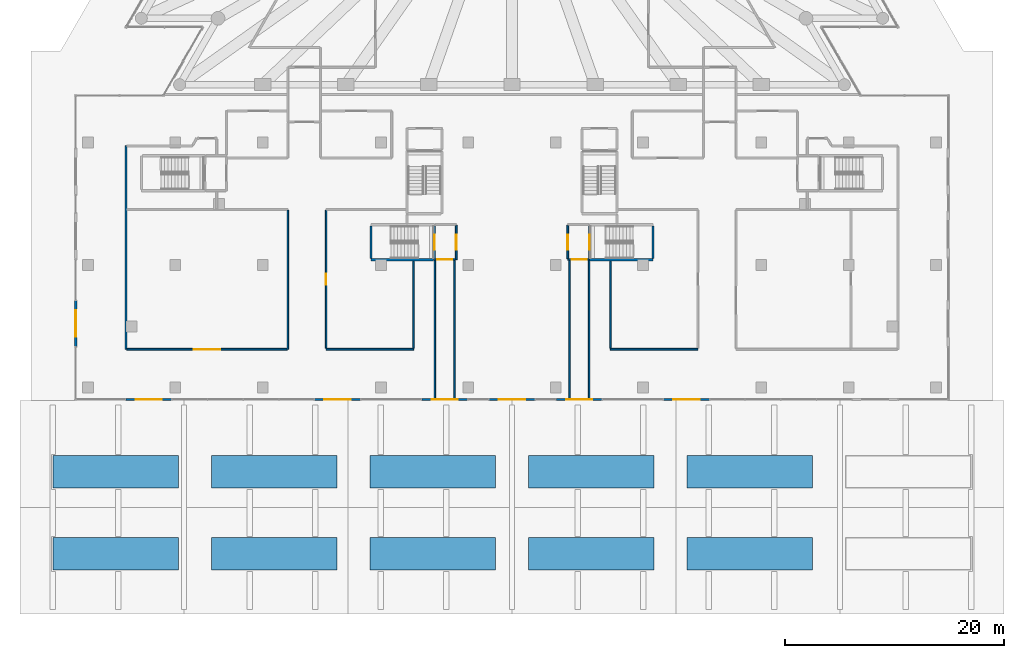
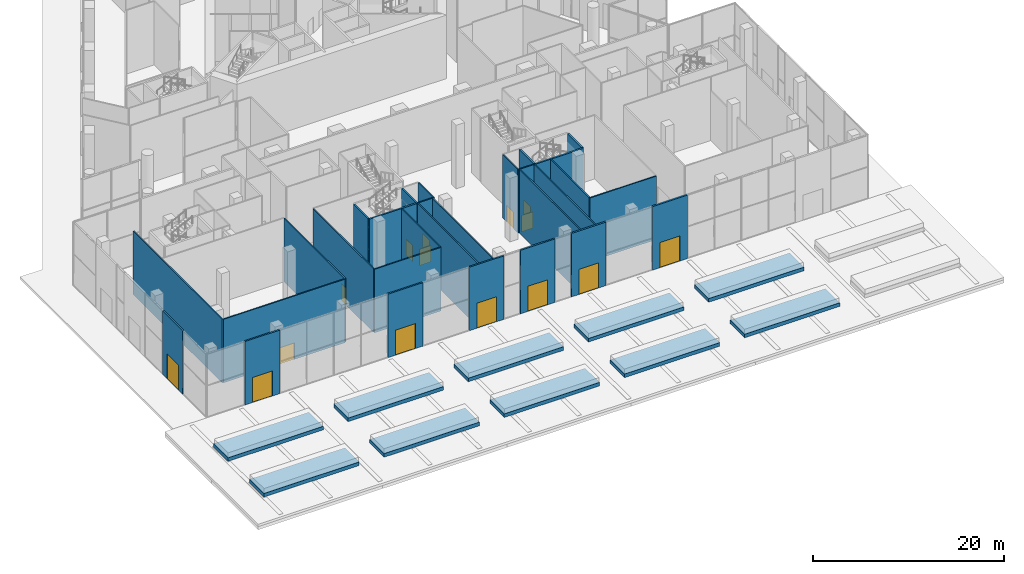
# One storey, part 20 of 41: 39 walls, 15 doors, 15 openings.
"""IFC4 building model written with IfcOpenShell, lengths in metres."""

from ifc_helpers import new_model, si_unit, direction, frame, frame_2d, origin, place, context, subcontext, project, spatial, rectangle, extrude, material, layer, layer_set, layer_usage, type_object, element, fill, save


model = new_model("IFC4")

# Units and contexts
model_context = context("Model", 3, precision=1e-05, world=origin(), true_north=direction((0.0, 1.0)))
body_context = subcontext(model_context, "Body", "Model", "MODEL_VIEW")
ifc_project = project(units=[si_unit("LENGTHUNIT", "METRE"), si_unit("AREAUNIT", "SQUARE_METRE"), si_unit("VOLUMEUNIT", "CUBIC_METRE"), si_unit("PLANEANGLEUNIT", "RADIAN"), si_unit("MASSUNIT", "GRAM", prefix="KILO")], contexts=[model_context])

# Site, building, storey
site_placement = place(None, origin())
site = spatial("IfcSite", under=ifc_project, at=site_placement, CompositionType="ELEMENT")
building_placement = place(site_placement, origin())
building = spatial("IfcBuilding", under=site, at=building_placement, Name="Triada Interchange Tower", CompositionType="ELEMENT")
storey_placement = place(building_placement, origin())
storey = spatial("IfcBuildingStorey", under=building, at=storey_placement, Name="L00", CompositionType="ELEMENT", Elevation=0.0)

# Wall, opening, door
ifc_material_1 = material(Name="Concrete C30/37", Category="concrete")
ifc_layer_1 = layer(ifc_material_1, 0.199951171875)
ifc_layer_set_1 = layer_set([ifc_layer_1], Name="CORE WALL 200 REI 240")
wall_type_1 = type_object("IfcWallType", Name="CORE WALL 200 REI 240", PredefinedType="SOLIDWALL", material=ifc_layer_set_1)
wall_1_placement = place(storey_placement, frame((-7.10009765625, -37.60009765625, 0.0), z_axis=(0.0, 0.0, 1.0), x_axis=(0.0, 1.0, 0.0)))
wall_1 = element("IfcWall", 1, at=wall_1_placement, inside=storey, type_object=wall_type_1, Name="Wall L00 207", PredefinedType="SOLIDWALL", context=body_context, shape_type="SweptSolid", body=[
    extrude(rectangle(XDim=3.10009765625, YDim=0.199951171875, at=frame_2d((1.550048828125, 0.0))), origin(), (0.0, 0.0, 1.0), 8.10009765625),
])
opening_1_placement = place(wall_1_placement, frame((0.89990234375, 0.0, 0.0)))
opening_1 = element("IfcOpeningElement", 2, at=opening_1_placement, cuts=wall_1, Name="Opening D00-17", PredefinedType="OPENING", context=body_context, shape_type="SweptSolid", body=[
    extrude(rectangle(XDim=1.39990234375, YDim=2.10009765625, at=frame_2d((0.699951171875, 1.050048828125))), frame((0.0, 0.10986328125, 0.0), z_axis=(0.0, -1.0, 0.0), x_axis=(1.0, 0.0, 0.0)), (0.0, 0.0, 1.0), 0.219970703125),
])
ifc_material_2 = material(Name="Steel S235 door leaf", Category="steel")
door_type_1 = type_object("IfcDoorType", Name="STAIR DOOR 1400 EI2 90-C5S200", OperationType="DOUBLE_DOOR_SINGLE_SWING", PredefinedType="DOOR", material=ifc_material_2)
door_1_placement = place(opening_1_placement, origin())
door_1 = element("IfcDoor", 3, at=door_1_placement, inside=storey, type_object=door_type_1, Name="Door D00-17 L00", OperationType="DOUBLE_DOOR_SINGLE_SWING", OverallHeight=2.10009765625, OverallWidth=1.39990234375, PredefinedType="DOOR", context=body_context, shape_type="SweptSolid", body=[
    extrude(rectangle(XDim=1.39990234375, YDim=2.10009765625, at=frame_2d((0.699951171875, 1.050048828125))), frame((0.0, 0.02490234375, 0.0), z_axis=(0.0, -1.0, 0.0), x_axis=(1.0, 0.0, 0.0)), (0.0, 0.0, 1.0), 0.050048828125),
])
fill(opening_1, door_1)

# Walls
wall_2_placement = place(storey_placement, frame((-12.89990234375, -37.60009765625, 0.0), z_axis=(0.0, 0.0, 1.0), x_axis=(1.0, 0.0, 0.0)))
element("IfcWall", 4, at=wall_2_placement, inside=storey, type_object=wall_type_1, Name="Wall L00 208", PredefinedType="SOLIDWALL", context=body_context, shape_type="SweptSolid", body=[
    extrude(rectangle(XDim=5.699951171875, YDim=0.199951171875, at=frame_2d((2.85009765625, 0.0))), origin(), (0.0, 0.0, 1.0), 8.10009765625),
])
wall_3_placement = place(storey_placement, frame((7.10009765625, -37.60009765625, 0.0), z_axis=(0.0, 0.0, 1.0), x_axis=(1.0, 0.0, 0.0)))
element("IfcWall", 5, at=wall_3_placement, inside=storey, type_object=wall_type_1, Name="Wall L00 209", PredefinedType="SOLIDWALL", context=body_context, shape_type="SweptSolid", body=[
    extrude(rectangle(XDim=5.7998046875, YDim=0.199951171875, at=frame_2d((2.89990234375, 0.0))), origin(), (0.0, 0.0, 1.0), 8.10009765625),
])
wall_4_placement = place(storey_placement, frame((-12.89990234375, -37.5, 0.0), z_axis=(0.0, 0.0, 1.0), x_axis=(0.0, 1.0, 0.0)))
element("IfcWall", 6, at=wall_4_placement, inside=storey, type_object=wall_type_1, Name="Wall L00 210", PredefinedType="SOLIDWALL", context=body_context, shape_type="SweptSolid", body=[
    extrude(rectangle(XDim=3.0, YDim=0.199951171875, at=frame_2d((1.5, 0.0))), origin(), (0.0, 0.0, 1.0), 8.10009765625),
])

# Wall, opening, door
wall_5_placement = place(storey_placement, frame((7.10009765625, -37.5, 0.0), z_axis=(0.0, 0.0, 1.0), x_axis=(0.0, 1.0, 0.0)))
wall_5 = element("IfcWall", 7, at=wall_5_placement, inside=storey, type_object=wall_type_1, Name="Wall L00 219", PredefinedType="SOLIDWALL", context=body_context, shape_type="SweptSolid", body=[
    extrude(rectangle(XDim=3.0, YDim=0.199951171875, at=frame_2d((1.5, 0.0))), origin(), (0.0, 0.0, 1.0), 8.10009765625),
])
opening_2_placement = place(wall_5_placement, frame((0.800048828125, 0.0, 0.0)))
opening_2 = element("IfcOpeningElement", 8, at=opening_2_placement, cuts=wall_5, Name="Opening D00-19", PredefinedType="OPENING", context=body_context, shape_type="SweptSolid", body=[
    extrude(rectangle(XDim=1.39990234375, YDim=2.10009765625, at=frame_2d((0.699951171875, 1.050048828125))), frame((0.0, 0.10986328125, 0.0), z_axis=(0.0, -1.0, 0.0), x_axis=(1.0, 0.0, 0.0)), (0.0, 0.0, 1.0), 0.219970703125),
])
door_2_placement = place(opening_2_placement, origin())
door_2 = element("IfcDoor", 9, at=door_2_placement, inside=storey, type_object=door_type_1, Name="Door D00-19 L00", OperationType="DOUBLE_DOOR_SINGLE_SWING", OverallHeight=2.10009765625, OverallWidth=1.39990234375, PredefinedType="DOOR", context=body_context, shape_type="SweptSolid", body=[
    extrude(rectangle(XDim=1.39990234375, YDim=2.10009765625, at=frame_2d((0.699951171875, 1.050048828125))), frame((0.0, 0.02490234375, 0.0), z_axis=(0.0, -1.0, 0.0), x_axis=(1.0, 0.0, 0.0)), (0.0, 0.0, 1.0), 0.050048828125),
])
fill(opening_2, door_2)

# Wall
wall_6_placement = place(storey_placement, frame((12.89990234375, -37.5, 0.0), z_axis=(0.0, 0.0, 1.0), x_axis=(0.0, 1.0, 0.0)))
element("IfcWall", 10, at=wall_6_placement, inside=storey, type_object=wall_type_1, Name="Wall L00 220", PredefinedType="SOLIDWALL", context=body_context, shape_type="SweptSolid", body=[
    extrude(rectangle(XDim=3.0, YDim=0.199951171875, at=frame_2d((1.5, 0.0))), origin(), (0.0, 0.0, 1.0), 8.10009765625),
])

# Wall, opening, door
ifc_material_3 = material(Name="Cement board")
ifc_layer_2 = layer(ifc_material_3, 0.02001953125, Name="Cement board cladding")
ifc_material_4 = material(Name="Sheathing board")
ifc_layer_3 = layer(ifc_material_4, 0.014892578125, Name="Sheathing board")
ifc_material_5 = material(Name="Mineral wool")
ifc_layer_4 = layer(ifc_material_5, 0.14990234375, Name="Mineral wool between steel studs")
ifc_material_6 = material(Name="Gypsum board")
ifc_layer_5 = layer(ifc_material_6, 0.014892578125, Name="Plasterboard lining")
ifc_layer_set_2 = layer_set([ifc_layer_2, ifc_layer_3, ifc_layer_4, ifc_layer_5], Name="External wall 200")
ifc_layer_usage = layer_usage(ifc_layer_set_2, "AXIS2", "POSITIVE", -0.10009765625)
wall_type_2 = type_object("IfcWallType", Name="External wall 200", PredefinedType="ELEMENTEDWALL", material=ifc_layer_set_2)
wall_7_placement = place(storey_placement, frame((-35.320068359375, -50.39990234375, 0.0), z_axis=(0.0, 0.0, 1.0), x_axis=(1.0, 0.0, 0.0)))
wall_7 = element("IfcWall", 11, at=wall_7_placement, inside=storey, type_object=wall_type_2, material=ifc_layer_usage, Name="External wall L00 00.1", PredefinedType="ELEMENTEDWALL", context=body_context, shape_type="SweptSolid", body=[
    extrude(rectangle(XDim=4.199951171875, YDim=0.199951171875, at=frame_2d((2.10009765625, 0.0))), origin(), (0.0, 0.0, 1.0), 8.10009765625),
])
opening_3_placement = place(wall_7_placement, frame((0.89990234375, 0.0, 0.0)))
opening_3 = element("IfcOpeningElement", 12, at=opening_3_placement, cuts=wall_7, Name="Opening DX03", PredefinedType="OPENING", context=body_context, shape_type="SweptSolid", body=[
    extrude(rectangle(XDim=2.39990234375, YDim=3.199951171875, at=frame_2d((1.199951171875, 1.60009765625))), frame((0.0, 0.10986328125, 0.0), z_axis=(0.0, -1.0, 0.0), x_axis=(1.0, 0.0, 0.0)), (0.0, 0.0, 1.0), 0.219970703125),
])
ifc_material_7 = material(Name="Aluminium and glass", Category="aluminium")
door_type_2 = type_object("IfcDoorType", Name="Entrance door double", OperationType="DOUBLE_DOOR_SINGLE_SWING", PredefinedType="DOOR", material=ifc_material_7)
door_3_placement = place(opening_3_placement, frame((2.39990234375, 0.0, 0.0), z_axis=(0.0, 0.0, 1.0), x_axis=(-1.0, 0.0, 0.0)))
door_3 = element("IfcDoor", 13, at=door_3_placement, inside=storey, type_object=door_type_2, Name="Door DX03 L00", OperationType="DOUBLE_DOOR_SINGLE_SWING", OverallHeight=3.199951171875, OverallWidth=2.39990234375, PredefinedType="DOOR", context=body_context, shape_type="SweptSolid", body=[
    extrude(rectangle(XDim=2.39990234375, YDim=3.199951171875, at=frame_2d((1.199951171875, 1.60009765625))), frame((0.0, 0.02490234375, 0.0), z_axis=(0.0, -1.0, 0.0), x_axis=(1.0, 0.0, 0.0)), (0.0, 0.0, 1.0), 0.050048828125),
])
fill(opening_3, door_3)

wall_8_placement = place(storey_placement, frame((-18.06005859375, -50.39990234375, 0.0), z_axis=(0.0, 0.0, 1.0), x_axis=(1.0, 0.0, 0.0)))
wall_8 = element("IfcWall", 14, at=wall_8_placement, inside=storey, type_object=wall_type_2, material=ifc_layer_usage, Name="External wall L00 00.3", PredefinedType="ELEMENTEDWALL", context=body_context, shape_type="SweptSolid", body=[
    extrude(rectangle(XDim=4.199951171875, YDim=0.199951171875, at=frame_2d((2.10009765625, 0.0))), origin(), (0.0, 0.0, 1.0), 8.10009765625),
])
opening_4_placement = place(wall_8_placement, frame((0.89990234375, 0.0, 0.0)))
opening_4 = element("IfcOpeningElement", 15, at=opening_4_placement, cuts=wall_8, Name="Opening DX04", PredefinedType="OPENING", context=body_context, shape_type="SweptSolid", body=[
    extrude(rectangle(XDim=2.39990234375, YDim=3.199951171875, at=frame_2d((1.199951171875, 1.60009765625))), frame((0.0, 0.10986328125, 0.0), z_axis=(0.0, -1.0, 0.0), x_axis=(1.0, 0.0, 0.0)), (0.0, 0.0, 1.0), 0.219970703125),
])
door_4_placement = place(opening_4_placement, frame((2.39990234375, 0.0, 0.0), z_axis=(0.0, 0.0, 1.0), x_axis=(-1.0, 0.0, 0.0)))
door_4 = element("IfcDoor", 16, at=door_4_placement, inside=storey, type_object=door_type_2, Name="Door DX04 L00", OperationType="DOUBLE_DOOR_SINGLE_SWING", OverallHeight=3.199951171875, OverallWidth=2.39990234375, PredefinedType="DOOR", context=body_context, shape_type="SweptSolid", body=[
    extrude(rectangle(XDim=2.39990234375, YDim=3.199951171875, at=frame_2d((1.199951171875, 1.60009765625))), frame((0.0, 0.02490234375, 0.0), z_axis=(0.0, -1.0, 0.0), x_axis=(1.0, 0.0, 0.0)), (0.0, 0.0, 1.0), 0.050048828125),
])
fill(opening_4, door_4)

wall_9_placement = place(storey_placement, frame((-8.25, -50.39990234375, 0.0), z_axis=(0.0, 0.0, 1.0), x_axis=(1.0, 0.0, 0.0)))
wall_9 = element("IfcWall", 17, at=wall_9_placement, inside=storey, type_object=wall_type_2, material=ifc_layer_usage, Name="External wall L00 00.5", PredefinedType="ELEMENTEDWALL", context=body_context, shape_type="SweptSolid", body=[
    extrude(rectangle(XDim=4.199951171875, YDim=0.199951171875, at=frame_2d((2.10009765625, 0.0))), origin(), (0.0, 0.0, 1.0), 8.10009765625),
])
opening_5_placement = place(wall_9_placement, frame((0.89990234375, 0.0, 0.0)))
opening_5 = element("IfcOpeningElement", 18, at=opening_5_placement, cuts=wall_9, Name="Opening DX20", PredefinedType="OPENING", context=body_context, shape_type="SweptSolid", body=[
    extrude(rectangle(XDim=2.39990234375, YDim=3.199951171875, at=frame_2d((1.199951171875, 1.60009765625))), frame((0.0, 0.10986328125, 0.0), z_axis=(0.0, -1.0, 0.0), x_axis=(1.0, 0.0, 0.0)), (0.0, 0.0, 1.0), 0.219970703125),
])
door_5_placement = place(opening_5_placement, frame((2.39990234375, 0.0, 0.0), z_axis=(0.0, 0.0, 1.0), x_axis=(-1.0, 0.0, 0.0)))
door_5 = element("IfcDoor", 19, at=door_5_placement, inside=storey, type_object=door_type_2, Name="Door DX20 L00", OperationType="DOUBLE_DOOR_SINGLE_SWING", OverallHeight=3.199951171875, OverallWidth=2.39990234375, PredefinedType="DOOR", context=body_context, shape_type="SweptSolid", body=[
    extrude(rectangle(XDim=2.39990234375, YDim=3.199951171875, at=frame_2d((1.199951171875, 1.60009765625))), frame((0.0, 0.02490234375, 0.0), z_axis=(0.0, -1.0, 0.0), x_axis=(1.0, 0.0, 0.0)), (0.0, 0.0, 1.0), 0.050048828125),
])
fill(opening_5, door_5)

wall_10_placement = place(storey_placement, frame((-2.10009765625, -50.39990234375, 0.0), z_axis=(0.0, 0.0, 1.0), x_axis=(1.0, 0.0, 0.0)))
wall_10 = element("IfcWall", 20, at=wall_10_placement, inside=storey, type_object=wall_type_2, material=ifc_layer_usage, Name="External wall L00 00.7", PredefinedType="ELEMENTEDWALL", context=body_context, shape_type="SweptSolid", body=[
    extrude(rectangle(XDim=4.2001953125, YDim=0.199951171875, at=frame_2d((2.10009765625, 0.0))), origin(), (0.0, 0.0, 1.0), 8.10009765625),
])
opening_6_placement = place(wall_10_placement, frame((0.89990234375, 0.0, 0.0)))
opening_6 = element("IfcOpeningElement", 21, at=opening_6_placement, cuts=wall_10, Name="Opening DX05", PredefinedType="OPENING", context=body_context, shape_type="SweptSolid", body=[
    extrude(rectangle(XDim=2.39990234375, YDim=3.199951171875, at=frame_2d((1.199951171875, 1.60009765625))), frame((0.0, 0.10986328125, 0.0), z_axis=(0.0, -1.0, 0.0), x_axis=(1.0, 0.0, 0.0)), (0.0, 0.0, 1.0), 0.219970703125),
])
door_6_placement = place(opening_6_placement, frame((2.39990234375, 0.0, 0.0), z_axis=(0.0, 0.0, 1.0), x_axis=(-1.0, 0.0, 0.0)))
door_6 = element("IfcDoor", 22, at=door_6_placement, inside=storey, type_object=door_type_2, Name="Door DX05 L00", OperationType="DOUBLE_DOOR_SINGLE_SWING", OverallHeight=3.199951171875, OverallWidth=2.39990234375, PredefinedType="DOOR", context=body_context, shape_type="SweptSolid", body=[
    extrude(rectangle(XDim=2.39990234375, YDim=3.199951171875, at=frame_2d((1.199951171875, 1.60009765625))), frame((0.0, 0.02490234375, 0.0), z_axis=(0.0, -1.0, 0.0), x_axis=(1.0, 0.0, 0.0)), (0.0, 0.0, 1.0), 0.050048828125),
])
fill(opening_6, door_6)

wall_11_placement = place(storey_placement, frame((4.050048828125, -50.39990234375, 0.0), z_axis=(0.0, 0.0, 1.0), x_axis=(1.0, 0.0, 0.0)))
wall_11 = element("IfcWall", 23, at=wall_11_placement, inside=storey, type_object=wall_type_2, material=ifc_layer_usage, Name="External wall L00 00.9", PredefinedType="ELEMENTEDWALL", context=body_context, shape_type="SweptSolid", body=[
    extrude(rectangle(XDim=4.199951171875, YDim=0.199951171875, at=frame_2d((2.10009765625, 0.0))), origin(), (0.0, 0.0, 1.0), 8.10009765625),
])
opening_7_placement = place(wall_11_placement, frame((0.89990234375, 0.0, 0.0)))
opening_7 = element("IfcOpeningElement", 24, at=opening_7_placement, cuts=wall_11, Name="Opening DX21", PredefinedType="OPENING", context=body_context, shape_type="SweptSolid", body=[
    extrude(rectangle(XDim=2.39990234375, YDim=3.199951171875, at=frame_2d((1.199951171875, 1.60009765625))), frame((0.0, 0.10986328125, 0.0), z_axis=(0.0, -1.0, 0.0), x_axis=(1.0, 0.0, 0.0)), (0.0, 0.0, 1.0), 0.219970703125),
])
door_7_placement = place(opening_7_placement, frame((2.39990234375, 0.0, 0.0), z_axis=(0.0, 0.0, 1.0), x_axis=(-1.0, 0.0, 0.0)))
door_7 = element("IfcDoor", 25, at=door_7_placement, inside=storey, type_object=door_type_2, Name="Door DX21 L00", OperationType="DOUBLE_DOOR_SINGLE_SWING", OverallHeight=3.199951171875, OverallWidth=2.39990234375, PredefinedType="DOOR", context=body_context, shape_type="SweptSolid", body=[
    extrude(rectangle(XDim=2.39990234375, YDim=3.199951171875, at=frame_2d((1.199951171875, 1.60009765625))), frame((0.0, 0.02490234375, 0.0), z_axis=(0.0, -1.0, 0.0), x_axis=(1.0, 0.0, 0.0)), (0.0, 0.0, 1.0), 0.050048828125),
])
fill(opening_7, door_7)

wall_12_placement = place(storey_placement, frame((13.860107421875, -50.39990234375, 0.0), z_axis=(0.0, 0.0, 1.0), x_axis=(1.0, 0.0, 0.0)))
wall_12 = element("IfcWall", 26, at=wall_12_placement, inside=storey, type_object=wall_type_2, material=ifc_layer_usage, Name="External wall L00 00.11", PredefinedType="ELEMENTEDWALL", context=body_context, shape_type="SweptSolid", body=[
    extrude(rectangle(XDim=4.199951171875, YDim=0.199951171875, at=frame_2d((2.10009765625, 0.0))), origin(), (0.0, 0.0, 1.0), 8.10009765625),
])
opening_8_placement = place(wall_12_placement, frame((0.89990234375, 0.0, 0.0)))
opening_8 = element("IfcOpeningElement", 27, at=opening_8_placement, cuts=wall_12, Name="Opening DX06", PredefinedType="OPENING", context=body_context, shape_type="SweptSolid", body=[
    extrude(rectangle(XDim=2.39990234375, YDim=3.199951171875, at=frame_2d((1.199951171875, 1.60009765625))), frame((0.0, 0.10986328125, 0.0), z_axis=(0.0, -1.0, 0.0), x_axis=(1.0, 0.0, 0.0)), (0.0, 0.0, 1.0), 0.219970703125),
])
door_8_placement = place(opening_8_placement, frame((2.39990234375, 0.0, 0.0), z_axis=(0.0, 0.0, 1.0), x_axis=(-1.0, 0.0, 0.0)))
door_8 = element("IfcDoor", 28, at=door_8_placement, inside=storey, type_object=door_type_2, Name="Door DX06 L00", OperationType="DOUBLE_DOOR_SINGLE_SWING", OverallHeight=3.199951171875, OverallWidth=2.39990234375, PredefinedType="DOOR", context=body_context, shape_type="SweptSolid", body=[
    extrude(rectangle(XDim=2.39990234375, YDim=3.199951171875, at=frame_2d((1.199951171875, 1.60009765625))), frame((0.0, 0.02490234375, 0.0), z_axis=(0.0, -1.0, 0.0), x_axis=(1.0, 0.0, 0.0)), (0.0, 0.0, 1.0), 0.050048828125),
])
fill(opening_8, door_8)

wall_13_placement = place(storey_placement, frame((-39.89990234375, -41.35009765625, 0.0), z_axis=(0.0, 0.0, 1.0), x_axis=(0.0, -1.0, 0.0)))
wall_13 = element("IfcWall", 29, at=wall_13_placement, inside=storey, type_object=wall_type_2, material=ifc_layer_usage, Name="External wall L00 12.5", PredefinedType="ELEMENTEDWALL", context=body_context, shape_type="SweptSolid", body=[
    extrude(rectangle(XDim=4.199951171875, YDim=0.199951171875, at=frame_2d((2.10009765625, 0.0))), origin(), (0.0, 0.0, 1.0), 8.10009765625),
])
opening_9_placement = place(wall_13_placement, frame((0.89990234375, 0.0, 0.0)))
opening_9 = element("IfcOpeningElement", 30, at=opening_9_placement, cuts=wall_13, Name="Opening DX19", PredefinedType="OPENING", context=body_context, shape_type="SweptSolid", body=[
    extrude(rectangle(XDim=2.39990234375, YDim=3.199951171875, at=frame_2d((1.199951171875, 1.60009765625))), frame((0.0, 0.10986328125, 0.0), z_axis=(0.0, -1.0, 0.0), x_axis=(1.0, 0.0, 0.0)), (0.0, 0.0, 1.0), 0.219970703125),
])
door_9_placement = place(opening_9_placement, frame((2.39990234375, 0.0, 0.0), z_axis=(0.0, 0.0, 1.0), x_axis=(-1.0, 0.0, 0.0)))
door_9 = element("IfcDoor", 31, at=door_9_placement, inside=storey, type_object=door_type_2, Name="Door DX19 L00", OperationType="DOUBLE_DOOR_SINGLE_SWING", OverallHeight=3.199951171875, OverallWidth=2.39990234375, PredefinedType="DOOR", context=body_context, shape_type="SweptSolid", body=[
    extrude(rectangle(XDim=2.39990234375, YDim=3.199951171875, at=frame_2d((1.199951171875, 1.60009765625))), frame((0.0, 0.02490234375, 0.0), z_axis=(0.0, -1.0, 0.0), x_axis=(1.0, 0.0, 0.0)), (0.0, 0.0, 1.0), 0.050048828125),
])
fill(opening_9, door_9)

ifc_material_8 = material(Name="Gypsum board partition")
ifc_layer_6 = layer(ifc_material_8, 0.14990234375)
ifc_layer_set_3 = layer_set([ifc_layer_6], Name="PARTITION 150 EI 180")
wall_type_3 = type_object("IfcWallType", Name="PARTITION 150 EI 180", PredefinedType="PARTITIONING", material=ifc_layer_set_3)
wall_14_placement = place(storey_placement, frame((-5.10009765625, -37.60009765625, 0.0), z_axis=(0.0, 0.0, 1.0), x_axis=(0.0, 1.0, 0.0)))
wall_14 = element("IfcWall", 32, at=wall_14_placement, inside=storey, type_object=wall_type_3, Name="Wall L00 29", PredefinedType="PARTITIONING", context=body_context, shape_type="SweptSolid", body=[
    extrude(rectangle(XDim=3.125, YDim=0.14990234375, at=frame_2d((1.5625, 0.0))), origin(), (0.0, 0.0, 1.0), 8.10009765625),
])
opening_10_placement = place(wall_14_placement, frame((0.89990234375, 0.0, 0.0)))
opening_10 = element("IfcOpeningElement", 33, at=opening_10_placement, cuts=wall_14, Name="Opening D00-18", PredefinedType="OPENING", context=body_context, shape_type="SweptSolid", body=[
    extrude(rectangle(XDim=1.39990234375, YDim=2.10009765625, at=frame_2d((0.699951171875, 1.050048828125))), frame((0.0, 0.0849609375, 0.0), z_axis=(0.0, -1.0, 0.0), x_axis=(1.0, 0.0, 0.0)), (0.0, 0.0, 1.0), 0.169921875),
])
door_10_placement = place(opening_10_placement, origin())
door_10 = element("IfcDoor", 34, at=door_10_placement, inside=storey, type_object=door_type_1, Name="Door D00-18 L00", OperationType="DOUBLE_DOOR_SINGLE_SWING", OverallHeight=2.10009765625, OverallWidth=1.39990234375, PredefinedType="DOOR", context=body_context, shape_type="SweptSolid", body=[
    extrude(rectangle(XDim=1.39990234375, YDim=2.10009765625, at=frame_2d((0.699951171875, 1.050048828125))), frame((0.0, 0.02490234375, 0.0), z_axis=(0.0, -1.0, 0.0), x_axis=(1.0, 0.0, 0.0)), (0.0, 0.0, 1.0), 0.050048828125),
])
fill(opening_10, door_10)

wall_15_placement = place(storey_placement, frame((-7.050048828125, -37.60009765625, 0.0), z_axis=(0.0, 0.0, 1.0), x_axis=(1.0, 0.0, 0.0)))
wall_15 = element("IfcWall", 35, at=wall_15_placement, inside=storey, type_object=wall_type_3, Name="Wall L00 30", PredefinedType="PARTITIONING", context=body_context, shape_type="SweptSolid", body=[
    extrude(rectangle(XDim=1.875, YDim=0.14990234375, at=frame_2d((0.9375, 0.0))), origin(), (0.0, 0.0, 1.0), 8.10009765625),
])
opening_11_placement = place(wall_15_placement, frame((0.199951171875, 0.0, 0.0)))
opening_11 = element("IfcOpeningElement", 36, at=opening_11_placement, cuts=wall_15, Name="Opening D00-65", PredefinedType="OPENING", context=body_context, shape_type="SweptSolid", body=[
    extrude(rectangle(XDim=1.39990234375, YDim=2.10009765625, at=frame_2d((0.699951171875, 1.050048828125))), frame((0.0, 0.0849609375, 0.0), z_axis=(0.0, -1.0, 0.0), x_axis=(1.0, 0.0, 0.0)), (0.0, 0.0, 1.0), 0.169921875),
])
door_11_placement = place(opening_11_placement, origin())
door_11 = element("IfcDoor", 37, at=door_11_placement, inside=storey, type_object=door_type_1, Name="Door D00-65 L00", OperationType="DOUBLE_DOOR_SINGLE_SWING", OverallHeight=2.10009765625, OverallWidth=1.39990234375, PredefinedType="DOOR", context=body_context, shape_type="SweptSolid", body=[
    extrude(rectangle(XDim=1.39990234375, YDim=2.10009765625, at=frame_2d((0.699951171875, 1.050048828125))), frame((0.0, 0.02490234375, 0.0), z_axis=(0.0, -1.0, 0.0), x_axis=(1.0, 0.0, 0.0)), (0.0, 0.0, 1.0), 0.050048828125),
])
fill(opening_11, door_11)

wall_16_placement = place(storey_placement, frame((5.10009765625, -37.60009765625, 0.0), z_axis=(0.0, 0.0, 1.0), x_axis=(1.0, 0.0, 0.0)))
wall_16 = element("IfcWall", 38, at=wall_16_placement, inside=storey, type_object=wall_type_3, Name="Wall L00 31", PredefinedType="PARTITIONING", context=body_context, shape_type="SweptSolid", body=[
    extrude(rectangle(XDim=1.949951171875, YDim=0.14990234375, at=frame_2d((0.97509765625, 0.0))), origin(), (0.0, 0.0, 1.0), 8.10009765625),
])
opening_12_placement = place(wall_16_placement, frame((0.35009765625, 0.0, 0.0)))
opening_12 = element("IfcOpeningElement", 39, at=opening_12_placement, cuts=wall_16, Name="Opening D00-66", PredefinedType="OPENING", context=body_context, shape_type="SweptSolid", body=[
    extrude(rectangle(XDim=1.39990234375, YDim=2.10009765625, at=frame_2d((0.699951171875, 1.050048828125))), frame((0.0, 0.0849609375, 0.0), z_axis=(0.0, -1.0, 0.0), x_axis=(1.0, 0.0, 0.0)), (0.0, 0.0, 1.0), 0.169921875),
])
door_12_placement = place(opening_12_placement, origin())
door_12 = element("IfcDoor", 40, at=door_12_placement, inside=storey, type_object=door_type_1, Name="Door D00-66 L00", OperationType="DOUBLE_DOOR_SINGLE_SWING", OverallHeight=2.10009765625, OverallWidth=1.39990234375, PredefinedType="DOOR", context=body_context, shape_type="SweptSolid", body=[
    extrude(rectangle(XDim=1.39990234375, YDim=2.10009765625, at=frame_2d((0.699951171875, 1.050048828125))), frame((0.0, 0.02490234375, 0.0), z_axis=(0.0, -1.0, 0.0), x_axis=(1.0, 0.0, 0.0)), (0.0, 0.0, 1.0), 0.050048828125),
])
fill(opening_12, door_12)

# Walls
for number, where, z_axis, x_axis, name in (
    (41, (-7.050048828125, -50.300048828125, 0.0), (0.0, 0.0, 1.0), (0.0, 1.0, 0.0), "Wall L00 32"),
    (42, (-5.25, -50.300048828125, 0.0), (0.0, 0.0, 1.0), (0.0, 1.0, 0.0), "Wall L00 33"),
):
    element("IfcWall", number, at=place(storey_placement, frame(where, z_axis=z_axis, x_axis=x_axis)), inside=storey, type_object=wall_type_3, Name=name, PredefinedType="PARTITIONING", context=body_context, shape_type="SweptSolid", body=[
        extrude(rectangle(XDim=12.625, YDim=0.14990234375, at=frame_2d((6.3125, 0.0))), origin(), (0.0, 0.0, 1.0), 8.10009765625),
    ])

# Wall, opening, door
wall_17_placement = place(storey_placement, frame((5.10009765625, -37.52490234375, 0.0), z_axis=(0.0, 0.0, 1.0), x_axis=(0.0, 1.0, 0.0)))
wall_17 = element("IfcWall", 43, at=wall_17_placement, inside=storey, type_object=wall_type_3, Name="Wall L00 34", PredefinedType="PARTITIONING", context=body_context, shape_type="SweptSolid", body=[
    extrude(rectangle(XDim=3.0498046875, YDim=0.14990234375, at=frame_2d((1.52490234375, 0.0))), origin(), (0.0, 0.0, 1.0), 8.10009765625),
])
opening_13_placement = place(wall_17_placement, frame((0.824951171875, 0.0, 0.0)))
opening_13 = element("IfcOpeningElement", 44, at=opening_13_placement, cuts=wall_17, Name="Opening D00-20", PredefinedType="OPENING", context=body_context, shape_type="SweptSolid", body=[
    extrude(rectangle(XDim=1.39990234375, YDim=2.10009765625, at=frame_2d((0.699951171875, 1.050048828125))), frame((0.0, 0.0849609375, 0.0), z_axis=(0.0, -1.0, 0.0), x_axis=(1.0, 0.0, 0.0)), (0.0, 0.0, 1.0), 0.169921875),
])
door_13_placement = place(opening_13_placement, origin())
door_13 = element("IfcDoor", 45, at=door_13_placement, inside=storey, type_object=door_type_1, Name="Door D00-20 L00", OperationType="DOUBLE_DOOR_SINGLE_SWING", OverallHeight=2.10009765625, OverallWidth=1.39990234375, PredefinedType="DOOR", context=body_context, shape_type="SweptSolid", body=[
    extrude(rectangle(XDim=1.39990234375, YDim=2.10009765625, at=frame_2d((0.699951171875, 1.050048828125))), frame((0.0, 0.02490234375, 0.0), z_axis=(0.0, -1.0, 0.0), x_axis=(1.0, 0.0, 0.0)), (0.0, 0.0, 1.0), 0.050048828125),
])
fill(opening_13, door_13)

# Walls
for number, where, z_axis, x_axis, name in (
    (46, (5.25, -50.300048828125, 0.0), (0.0, 0.0, 1.0), (0.0, 1.0, 0.0), "Wall L00 35"),
    (47, (7.050048828125, -50.300048828125, 0.0), (0.0, 0.0, 1.0), (0.0, 1.0, 0.0), "Wall L00 38"),
):
    element("IfcWall", number, at=place(storey_placement, frame(where, z_axis=z_axis, x_axis=x_axis)), inside=storey, type_object=wall_type_3, Name=name, PredefinedType="PARTITIONING", context=body_context, shape_type="SweptSolid", body=[
        extrude(rectangle(XDim=12.625, YDim=0.14990234375, at=frame_2d((6.3125, 0.0))), origin(), (0.0, 0.0, 1.0), 8.10009765625),
    ])
ifc_layer_7 = layer(ifc_material_8, 0.14990234375)
ifc_layer_set_4 = layer_set([ifc_layer_7], Name="PARTITION 150 EI 90")
wall_type_4 = type_object("IfcWallType", Name="PARTITION 150 EI 90", PredefinedType="PARTITIONING", material=ifc_layer_set_4)
wall_18_placement = place(storey_placement, frame((-35.300048828125, -45.800048828125, 0.0), z_axis=(0.0, 0.0, 1.0), x_axis=(0.0, 1.0, 0.0)))
element("IfcWall", 48, at=wall_18_placement, inside=storey, type_object=wall_type_4, Name="Wall L00 61", PredefinedType="PARTITIONING", context=body_context, shape_type="SweptSolid", body=[
    extrude(rectangle(XDim=18.60009765625, YDim=0.14990234375, at=frame_2d((9.300048828125, 0.0))), origin(), (0.0, 0.0, 1.0), 8.10009765625),
])
wall_19_placement = place(storey_placement, frame((-20.5, -45.800048828125, 0.0), z_axis=(0.0, 0.0, 1.0), x_axis=(0.0, 1.0, 0.0)))
element("IfcWall", 49, at=wall_19_placement, inside=storey, type_object=wall_type_4, Name="Wall L00 71", PredefinedType="PARTITIONING", context=body_context, shape_type="SweptSolid", body=[
    extrude(rectangle(XDim=12.72509765625, YDim=0.14990234375, at=frame_2d((6.362548828125, 0.0))), origin(), (0.0, 0.0, 1.0), 8.10009765625),
])

# Wall, opening, door
wall_20_placement = place(storey_placement, frame((-35.22509765625, -45.800048828125, 0.0), z_axis=(0.0, 0.0, 1.0), x_axis=(1.0, 0.0, 0.0)))
wall_20 = element("IfcWall", 50, at=wall_20_placement, inside=storey, type_object=wall_type_4, Name="Wall L00 73", PredefinedType="PARTITIONING", context=body_context, shape_type="SweptSolid", body=[
    extrude(rectangle(XDim=14.650146484375, YDim=0.14990234375, at=frame_2d((7.3251953125, 0.0))), origin(), (0.0, 0.0, 1.0), 8.10009765625),
])
opening_14_placement = place(wall_20_placement, frame((6.125, 0.0, 0.0)))
opening_14 = element("IfcOpeningElement", 51, at=opening_14_placement, cuts=wall_20, Name="Opening D00-33", PredefinedType="OPENING", context=body_context, shape_type="SweptSolid", body=[
    extrude(rectangle(XDim=2.39990234375, YDim=2.10009765625, at=frame_2d((1.199951171875, 1.050048828125))), frame((0.0, 0.0849609375, 0.0), z_axis=(0.0, -1.0, 0.0), x_axis=(1.0, 0.0, 0.0)), (0.0, 0.0, 1.0), 0.169921875),
])
door_type_3 = type_object("IfcDoorType", Name="SHOP AND HALL ENTRANCE DOOR 2400 EI2 45-C5S200", OperationType="DOUBLE_DOOR_SINGLE_SWING", PredefinedType="DOOR", material=ifc_material_2)
door_14_placement = place(opening_14_placement, origin())
door_14 = element("IfcDoor", 52, at=door_14_placement, inside=storey, type_object=door_type_3, Name="Door D00-33 L00", OperationType="DOUBLE_DOOR_SINGLE_SWING", OverallHeight=2.10009765625, OverallWidth=2.39990234375, PredefinedType="DOOR", context=body_context, shape_type="SweptSolid", body=[
    extrude(rectangle(XDim=2.39990234375, YDim=2.10009765625, at=frame_2d((1.199951171875, 1.050048828125))), frame((0.0, 0.02490234375, 0.0), z_axis=(0.0, -1.0, 0.0), x_axis=(1.0, 0.0, 0.0)), (0.0, 0.0, 1.0), 0.050048828125),
])
fill(opening_14, door_14)

# Walls
for number, where, z_axis, x_axis, name in (
    (53, (-17.0, -45.800048828125, 0.0), (0.0, 0.0, 1.0), (1.0, 0.0, 0.0), "Wall L00 74"),
    (54, (9.0, -45.800048828125, 0.0), (0.0, 0.0, 1.0), (1.0, 0.0, 0.0), "Wall L00 75"),
):
    element("IfcWall", number, at=place(storey_placement, frame(where, z_axis=z_axis, x_axis=x_axis)), inside=storey, type_object=wall_type_4, Name=name, PredefinedType="PARTITIONING", context=body_context, shape_type="SweptSolid", body=[
        extrude(rectangle(XDim=8.0, YDim=0.14990234375, at=frame_2d((4.0, 0.0))), origin(), (0.0, 0.0, 1.0), 8.10009765625),
    ])
wall_21_placement = place(storey_placement, frame((-9.0, -45.72509765625, 0.0), z_axis=(0.0, 0.0, 1.0), x_axis=(0.0, 1.0, 0.0)))
element("IfcWall", 55, at=wall_21_placement, inside=storey, type_object=wall_type_4, Name="Wall L00 93", PredefinedType="PARTITIONING", context=body_context, shape_type="SweptSolid", body=[
    extrude(rectangle(XDim=8.025146484375, YDim=0.14990234375, at=frame_2d((4.0126953125, 0.0))), origin(), (0.0, 0.0, 1.0), 8.10009765625),
])

# Wall, opening, door
wall_22_placement = place(storey_placement, frame((-17.0, -45.72509765625, 0.0), z_axis=(0.0, 0.0, 1.0), x_axis=(0.0, 1.0, 0.0)))
wall_22 = element("IfcWall", 56, at=wall_22_placement, inside=storey, type_object=wall_type_4, Name="Wall L00 94", PredefinedType="PARTITIONING", context=body_context, shape_type="SweptSolid", body=[
    extrude(rectangle(XDim=12.650146484375, YDim=0.14990234375, at=frame_2d((6.3251953125, 0.0))), origin(), (0.0, 0.0, 1.0), 8.10009765625),
])
opening_15_placement = place(wall_22_placement, frame((5.824951171875, 0.0, 0.0)))
opening_15 = element("IfcOpeningElement", 57, at=opening_15_placement, cuts=wall_22, Name="Opening D00-34", PredefinedType="OPENING", context=body_context, shape_type="SweptSolid", body=[
    extrude(rectangle(XDim=1.0, YDim=2.10009765625, at=frame_2d((0.5, 1.050048828125))), frame((0.0, 0.0849609375, 0.0), z_axis=(0.0, -1.0, 0.0), x_axis=(1.0, 0.0, 0.0)), (0.0, 0.0, 1.0), 0.169921875),
])
door_type_4 = type_object("IfcDoorType", Name="ROOM DOOR 1000 EI2 90-C5S200", OperationType="NOTDEFINED", PredefinedType="DOOR", material=ifc_material_2)
door_15_placement = place(opening_15_placement, origin())
door_15 = element("IfcDoor", 58, at=door_15_placement, inside=storey, type_object=door_type_4, Name="Door D00-34 L00", OperationType="SINGLE_SWING_RIGHT", OverallHeight=2.10009765625, OverallWidth=1.0, PredefinedType="DOOR", context=body_context, shape_type="SweptSolid", body=[
    extrude(rectangle(XDim=1.0, YDim=2.10009765625, at=frame_2d((0.5, 1.050048828125))), frame((0.0, 0.02490234375, 0.0), z_axis=(0.0, -1.0, 0.0), x_axis=(1.0, 0.0, 0.0)), (0.0, 0.0, 1.0), 0.050048828125),
])
fill(opening_15, door_15)

# Walls
wall_23_placement = place(storey_placement, frame((9.0, -45.72509765625, 0.0), z_axis=(0.0, 0.0, 1.0), x_axis=(0.0, 1.0, 0.0)))
element("IfcWall", 59, at=wall_23_placement, inside=storey, type_object=wall_type_4, Name="Wall L00 96", PredefinedType="PARTITIONING", context=body_context, shape_type="SweptSolid", body=[
    extrude(rectangle(XDim=8.025146484375, YDim=0.14990234375, at=frame_2d((4.0126953125, 0.0))), origin(), (0.0, 0.0, 1.0), 8.10009765625),
])
ifc_layer_8 = layer(ifc_material_1, 3.0)
ifc_layer_set_5 = layer_set([ifc_layer_8], Name="Planter bed plaza 450")
wall_type_5 = type_object("IfcWallType", Name="Planter bed plaza 450", PredefinedType="STANDARD", material=ifc_layer_set_5)
for number, where, z_axis, x_axis, name in (
    (60, (-42.0, -57.0, 0.0), (0.0, 0.0, 1.0), (1.0, 0.0, 0.0), "PLANTER plaza 01"),
    (61, (-27.5, -57.0, 0.0), (0.0, 0.0, 1.0), (1.0, 0.0, 0.0), "PLANTER plaza 02"),
    (62, (-13.0, -57.0, 0.0), (0.0, 0.0, 1.0), (1.0, 0.0, 0.0), "PLANTER plaza 03"),
    (63, (1.5, -57.0, 0.0), (0.0, 0.0, 1.0), (1.0, 0.0, 0.0), "PLANTER plaza 04"),
    (64, (16.0, -57.0, 0.0), (0.0, 0.0, 1.0), (1.0, 0.0, 0.0), "PLANTER plaza 05"),
    (65, (-42.0, -64.5, 0.0), (0.0, 0.0, 1.0), (1.0, 0.0, 0.0), "PLANTER plaza 07"),
    (66, (-27.5, -64.5, 0.0), (0.0, 0.0, 1.0), (1.0, 0.0, 0.0), "PLANTER plaza 08"),
    (67, (-13.0, -64.5, 0.0), (0.0, 0.0, 1.0), (1.0, 0.0, 0.0), "PLANTER plaza 09"),
    (68, (1.5, -64.5, 0.0), (0.0, 0.0, 1.0), (1.0, 0.0, 0.0), "PLANTER plaza 10"),
    (69, (16.0, -64.5, 0.0), (0.0, 0.0, 1.0), (1.0, 0.0, 0.0), "PLANTER plaza 11"),
):
    element("IfcWall", number, at=place(storey_placement, frame(where, z_axis=z_axis, x_axis=x_axis)), inside=storey, type_object=wall_type_5, Name=name, PredefinedType="STANDARD", context=body_context, shape_type="SweptSolid", body=[
        extrude(rectangle(XDim=11.5, YDim=3.0, at=frame_2d((5.75, 0.0))), origin(), (0.0, 0.0, 1.0), 0.449951171875),
    ])

save(model, "model.ifc")
